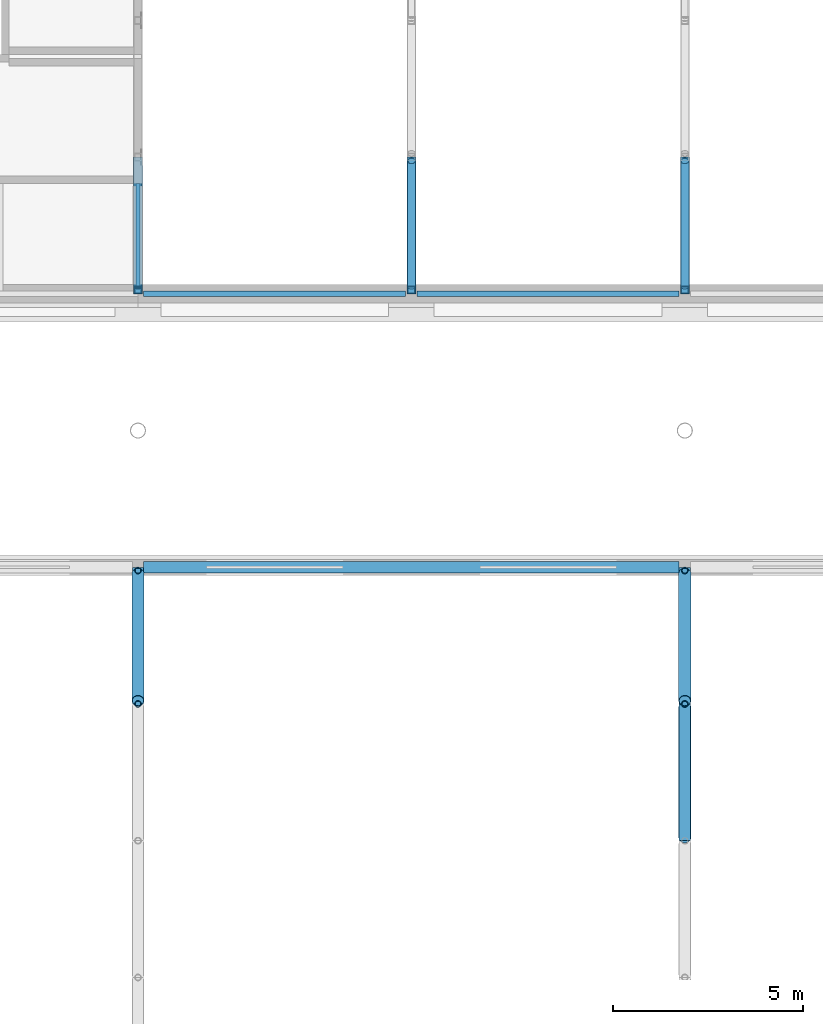
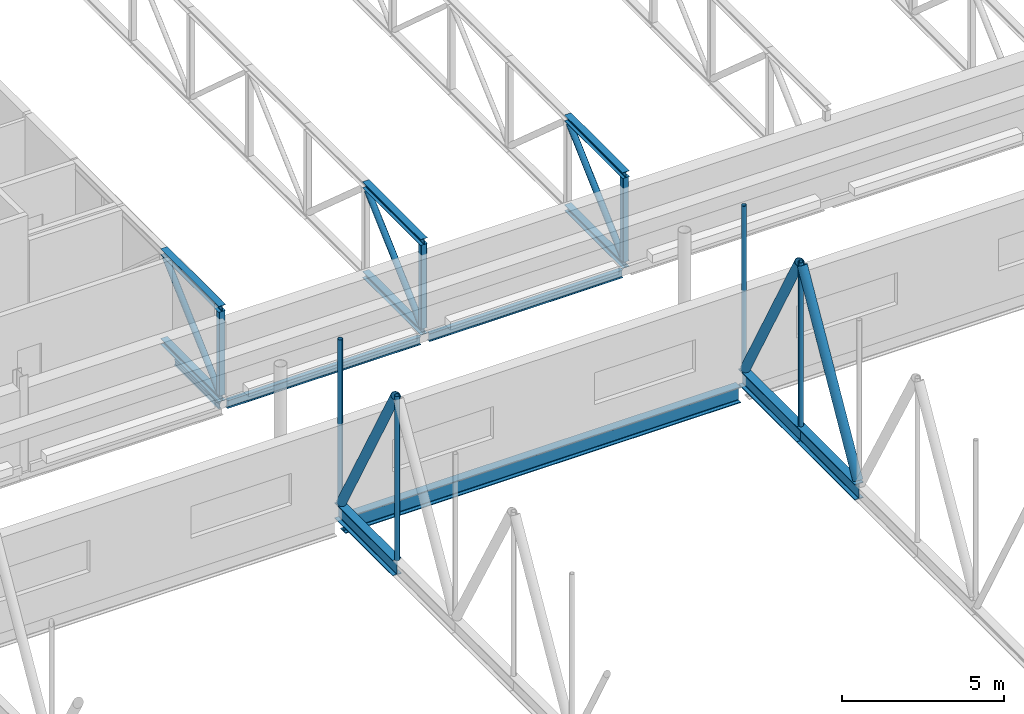
# One storey, part 69 of 142: 22 members, 4 beams.
"""IFC4 building model written with IfcOpenShell, lengths in metres."""

import ifcopenshell
import ifcopenshell.guid

model = None  # the IFC model being written
_history = None  # IfcOwnerHistory: only IFC2X3 demands one
_inside = {}  # id of a spatial element -> (the spatial element, [elements in it])
_under = {}  # id of a project, library or spatial element -> (it, [spatial elements below it])
_declared = {}  # id of a project -> (the project, [libraries it declares])
_typed = {}  # id of a type object -> (the type object, [elements of that type])
_made_of = {}  # id of a material, layer set ... -> (it, [elements and type objects made of it])


def new_model(schema):
    """Start an empty IFC model of exactly this schema.

    Asked for "IFC4X3", IfcOpenShell would pick the latest addendum, in which some entities
    have other attributes; the version numbers below select the first issue.
    IFC2X3 requires an IfcOwnerHistory on every rooted entity: one is made here for all.
    """
    global model, _history
    if schema == "IFC4X3":
        model = ifcopenshell.file(schema_version=(4, 3, 0, 0))
    else:
        model = ifcopenshell.file(schema=schema)
    _inside.clear()
    _under.clear()
    _declared.clear()
    _typed.clear()
    _made_of.clear()
    _history = None
    if model.schema == "IFC2X3":
        org = make("IfcOrganization", Name="unknown")
        user = make(
            "IfcPersonAndOrganization",
            ThePerson=make("IfcPerson", FamilyName="unknown"),
            TheOrganization=org,
        )
        app = make(
            "IfcApplication",
            ApplicationDeveloper=org,
            Version="unknown",
            ApplicationFullName="unknown",
            ApplicationIdentifier="unknown",
        )
        _history = make(
            "IfcOwnerHistory",
            OwningUser=user,
            OwningApplication=app,
            ChangeAction="ADDED",
            CreationDate=0,
        )
    return model


def make(cls, **values):
    """One entity of the class cls with the attributes given. An attribute that is None is left unset."""
    return model.create_entity(
        cls, **{name: value for name, value in values.items() if value is not None}
    )


def rooted(cls, **values):
    """An entity with a GlobalId (a new one), such as an element, a storey or a relation."""
    return make(cls, GlobalId=ifcopenshell.guid.new(), OwnerHistory=_history, **values)


def si_unit(unit_type, name, prefix=None):
    """IfcSIUnit, for example si_unit("LENGTHUNIT", "METRE", prefix="MILLI")."""
    return make("IfcSIUnit", UnitType=unit_type, Prefix=prefix, Name=name)


def assignment(units):
    """IfcUnitAssignment: the units of a project."""
    return None if units is None else make("IfcUnitAssignment", Units=units)


def point(xyz):
    """IfcCartesianPoint."""
    return None if xyz is None else make("IfcCartesianPoint", Coordinates=xyz)


def direction(xyz):
    """IfcDirection."""
    return None if xyz is None else make("IfcDirection", DirectionRatios=xyz)


def frame(location, z_axis=None, x_axis=None):
    """IfcAxis2Placement3D, a coordinate frame: its origin and axes. An axis left out is left unset."""
    return make(
        "IfcAxis2Placement3D",
        Location=point(location),
        Axis=direction(z_axis),
        RefDirection=direction(x_axis),
    )


def frame_2d(location, x_axis=None):
    """IfcAxis2Placement2D, a coordinate frame in the plane: its origin and x axis."""
    return make(
        "IfcAxis2Placement2D", Location=point(location), RefDirection=direction(x_axis)
    )


def origin():
    """The frame at (0, 0, 0) with its axes left unset."""
    return frame((0.0, 0.0, 0.0))


def origin_2d():
    """The frame at (0, 0) in the plane with its x axis left unset."""
    return frame_2d((0.0, 0.0))


def place(relative_to, where):
    """IfcLocalPlacement: puts the frame where relative to a parent placement (None: the world)."""
    return make(
        "IfcLocalPlacement", PlacementRelTo=relative_to, RelativePlacement=where
    )


def context(
    kind, dimensions, precision=None, world=None, true_north=None, identifier=None
):
    """IfcGeometricRepresentationContext, for example the 3D "Model" context."""
    return make(
        "IfcGeometricRepresentationContext",
        ContextIdentifier=identifier,
        ContextType=kind,
        CoordinateSpaceDimension=dimensions,
        Precision=precision,
        WorldCoordinateSystem=world,
        TrueNorth=true_north,
    )


def subcontext(parent, identifier, kind, view, scale=None):
    """IfcGeometricRepresentationSubContext, for example "Body" below "Model"."""
    return make(
        "IfcGeometricRepresentationSubContext",
        ContextIdentifier=identifier,
        ContextType=kind,
        ParentContext=parent,
        TargetScale=scale,
        TargetView=view,
    )


def project(units=None, contexts=None):
    """IfcProject with its units and contexts."""
    return rooted(
        "IfcProject",
        Name="project",
        RepresentationContexts=contexts,
        UnitsInContext=assignment(units),
    )


def spatial(cls, under=None, at=None, **own):
    """A site, building, storey or space (cls), placed at a placement, below another one or the project."""
    s = rooted(cls, ObjectPlacement=at, **own)
    if under is not None:
        _under.setdefault(under.id(), (under, []))[1].append(s)
    return s


def profile(cls, at=None, kind="AREA", **sizes):
    """A parametric profile (cls). Its sizes go by their IFC names, for example OverallWidth=200.0."""
    return make(cls, ProfileType=kind, Position=at, **sizes)


def hollow_rectangle(**sizes):
    """IfcRectangleHollowProfileDef."""
    return profile("IfcRectangleHollowProfileDef", **sizes)


def hollow_circle(**sizes):
    """IfcCircleHollowProfileDef."""
    return profile("IfcCircleHollowProfileDef", **sizes)


def i_section(**sizes):
    """IfcIShapeProfileDef."""
    return profile("IfcIShapeProfileDef", **sizes)


def extrude(swept, where, along, depth):
    """IfcExtrudedAreaSolid: the profile swept, set in the frame where, extruded along a direction by depth."""
    return make(
        "IfcExtrudedAreaSolid",
        SweptArea=swept,
        Position=where,
        ExtrudedDirection=direction(along),
        Depth=depth,
    )


def shape(context_of_items, identifier, shape_type, items):
    """IfcShapeRepresentation: the items that make up one representation, for example the "Body"."""
    return make(
        "IfcShapeRepresentation",
        ContextOfItems=context_of_items,
        RepresentationIdentifier=identifier,
        RepresentationType=shape_type,
        Items=items,
    )


def material(Name=None, Category=None):
    """IfcMaterial."""
    return make("IfcMaterial", Name=Name, Category=Category)


def material_profile(
    of_material, cross_section, Name=None, Category=None, Priority=None
):
    """IfcMaterialProfile: a cross section and its material."""
    return make(
        "IfcMaterialProfile",
        Name=Name,
        Material=of_material,
        Profile=cross_section,
        Priority=Priority,
        Category=Category,
    )


def profile_set(profiles, Name=None, composite=None):
    """IfcMaterialProfileSet."""
    return make(
        "IfcMaterialProfileSet",
        Name=Name,
        MaterialProfiles=profiles,
        CompositeProfile=composite,
    )


def made_of(thing, what):
    """Note that an element or type object is made of a material, layer set ...; save() writes the relation."""
    if what is not None:
        _made_of.setdefault(what.id(), (what, []))[1].append(thing)
    return thing


def type_object(cls, material=None, **own):
    """A type object (cls), such as IfcWallType, which elements share."""
    return made_of(rooted(cls, **own), material)


def element(
    cls,
    number,
    at=None,
    inside=None,
    cuts=None,
    type_object=None,
    material=None,
    context=None,
    identifier="Body",
    shape_type=None,
    held_by="IfcProductDefinitionShape",
    body=None,
    shapes=None,
    **own,
):
    """One element of the class cls, such as IfcWall. Its Tag is "e" and its number.

    at: its placement. inside: the storey or other place that contains it. cuts: it is an
    opening in that element (IfcRelVoidsElement). A single representation is given by context,
    identifier, shape_type and body (its items); several are given by shapes. held_by: the class
    of the entity that holds the representations. save() writes the other relations.
    """
    e = rooted(cls, Tag="e%d" % number, ObjectPlacement=at, **own)
    if body is not None:
        shapes = [shape(context, identifier, shape_type, body)]
    if shapes is not None:
        e.Representation = make(held_by, Representations=shapes)
    if inside is not None:
        _inside.setdefault(inside.id(), (inside, []))[1].append(e)
    if cuts is not None:
        rooted(
            "IfcRelVoidsElement", RelatingBuildingElement=cuts, RelatedOpeningElement=e
        )
    if type_object is not None:
        _typed.setdefault(type_object.id(), (type_object, []))[1].append(e)
    return made_of(e, material)


def aggregate(whole, parts):
    """IfcRelAggregates: a whole, such as a stair, and the parts it consists of."""
    return rooted("IfcRelAggregates", RelatingObject=whole, RelatedObjects=parts)


def save(model, path):
    """Write the relations noted so far, then the file.

    IfcRelAggregates (storeys below a building ...), IfcRelContainedInSpatialStructure (elements
    in a storey), IfcRelDefinesByType, IfcRelAssociatesMaterial and IfcRelDeclares: one each for
    every whole, place, type object, material and project.
    """
    for whole, parts in _under.values():
        aggregate(whole, parts)
    for where, things in _inside.values():
        rooted(
            "IfcRelContainedInSpatialStructure",
            RelatedElements=things,
            RelatingStructure=where,
        )
    for kind, things in _typed.values():
        rooted("IfcRelDefinesByType", RelatedObjects=things, RelatingType=kind)
    for what, things in _made_of.values():
        rooted("IfcRelAssociatesMaterial", RelatedObjects=things, RelatingMaterial=what)
    for by, libraries in _declared.values():
        rooted("IfcRelDeclares", RelatingContext=by, RelatedDefinitions=libraries)
    model.write(path)


model = new_model("IFC4")

# Units and contexts
model_context = context("Model", 3, precision=1e-05, world=origin(), true_north=direction((0.0, 1.0)))
body_context = subcontext(model_context, "Body", "Model", "MODEL_VIEW")
ifc_project = project(units=[si_unit("LENGTHUNIT", "METRE"), si_unit("AREAUNIT", "SQUARE_METRE"), si_unit("VOLUMEUNIT", "CUBIC_METRE"), si_unit("PLANEANGLEUNIT", "RADIAN"), si_unit("MASSUNIT", "GRAM", prefix="KILO")], contexts=[model_context])

# Site, building, storey
site_placement = place(None, origin())
site = spatial("IfcSite", under=ifc_project, at=site_placement, CompositionType="ELEMENT")
building_placement = place(site_placement, origin())
building = spatial("IfcBuilding", under=site, at=building_placement, Name="Kupolbacken Congress Centre", CompositionType="ELEMENT")
storey_placement = place(building_placement, frame((0.0, 0.0, 14.39990234375)))
storey = spatial("IfcBuildingStorey", under=building, at=storey_placement, Name="L04", CompositionType="ELEMENT", Elevation=14.39990234375)

# Beams
ifc_material_1 = material(Name="Steel S355", Category="steel")
ifc_material_profile_1 = material_profile(ifc_material_1, i_section(OverallWidth=0.10009765625, OverallDepth=0.199951171875, WebThickness=0.005615234375, FlangeThickness=0.008544921875, FilletRadius=0.011962890625, at=origin_2d()), Name="IPE 200")
ifc_profile_set_1 = profile_set([ifc_material_profile_1], Name="Steel S355")
beam_type_1 = type_object("IfcBeamType", Name="B01 beam IPE 200", PredefinedType="BEAM", material=ifc_profile_set_1)
beam_1_placement = place(storey_placement, frame((151.199951171875, 122.550048828125, -0.27978515625), z_axis=(0.0, 1.0, 0.0), x_axis=(-1.0, 0.0, 0.0)))
element("IfcBeam", 1, at=beam_1_placement, inside=storey, type_object=beam_type_1, Name="S/floor/BF/L04/G005", PredefinedType="BEAM", context=body_context, shape_type="SweptSolid", body=[
    extrude(i_section(OverallWidth=0.10009765625, OverallDepth=0.199951171875, WebThickness=0.005615234375, FlangeThickness=0.008544921875, FilletRadius=0.011962890625, at=origin_2d()), origin(), (0.0, 0.0, 1.0), 2.75),
])
ifc_material_2 = material(Name="Steel S355", Category="steel")
ifc_material_profile_2 = material_profile(ifc_material_2, i_section(OverallWidth=0.14990234375, OverallDepth=0.300048828125, WebThickness=0.007080078125, FlangeThickness=0.0107421875, FilletRadius=0.014892578125, at=origin_2d()), Name="IPE 300")
ifc_profile_set_2 = profile_set([ifc_material_profile_2], Name="Steel S355")
beam_type_2 = type_object("IfcBeamType", Name="B04 beam IPE 300", PredefinedType="BEAM", material=ifc_profile_set_2)
for number, where, z_axis, x_axis, name in (
    (2, (151.35009765625, 122.39990234375, -0.14990234375), (1.0, 0.0, 0.0), (0.0, 1.0, 0.0), "Edge girder"),
    (3, (158.550048828125, 122.39990234375, -0.14990234375), (1.0, 0.0, 0.0), (0.0, 1.0, 0.0), "Edge girder"),
):
    element("IfcBeam", number, at=place(storey_placement, frame(where, z_axis=z_axis, x_axis=x_axis)), inside=storey, type_object=beam_type_2, Name=name, PredefinedType="BEAM", context=body_context, shape_type="SweptSolid", body=[
        extrude(i_section(OverallWidth=0.14990234375, OverallDepth=0.300048828125, WebThickness=0.007080078125, FlangeThickness=0.0107421875, FilletRadius=0.014892578125, at=origin_2d()), origin(), (0.0, 0.0, 1.0), 6.89990234375),
    ])
ifc_material_3 = material(Name="Steel S355", Category="steel")
ifc_material_profile_3 = material_profile(ifc_material_3, i_section(OverallWidth=0.300048828125, OverallDepth=0.60009765625, WebThickness=0.015380859375, FlangeThickness=0.030029296875, FilletRadius=0.027099609375, at=origin_2d()), Name="HEB 600")
ifc_profile_set_3 = profile_set([ifc_material_profile_3], Name="Steel S355")
beam_type_3 = type_object("IfcBeamType", Name="B15 beam HEB 600", PredefinedType="BEAM", material=ifc_profile_set_3)
beam_2_placement = place(storey_placement, frame((151.35009765625, 115.199951171875, -0.2998046875), z_axis=(1.0, 0.0, 0.0), x_axis=(0.0, 1.0, 0.0)))
element("IfcBeam", 4, at=beam_2_placement, inside=storey, type_object=beam_type_3, Name="Edge girder", PredefinedType="BEAM", context=body_context, shape_type="SweptSolid", body=[
    extrude(i_section(OverallWidth=0.300048828125, OverallDepth=0.60009765625, WebThickness=0.015380859375, FlangeThickness=0.030029296875, FilletRadius=0.027099609375, at=origin_2d()), origin(), (0.0, 0.0, 1.0), 14.099853515625),
])

# Members
ifc_material_4 = material(Name="Steel S355", Category="steel")
ifc_material_profile_4 = material_profile(ifc_material_4, i_section(OverallWidth=0.300048828125, OverallDepth=0.60009765625, WebThickness=0.015380859375, FlangeThickness=0.030029296875, FilletRadius=0.027099609375, at=origin_2d()), Name="HEB 600")
ifc_profile_set_4 = profile_set([ifc_material_profile_4], Name="Steel S355")
member_type_1 = type_object("IfcMemberType", Name="M02 transfer truss chord HEB 600", PredefinedType="CHORD", material=ifc_profile_set_4)
member_1_placement = place(storey_placement, frame((151.199951171875, 111.60009765625, 0.2900390625), z_axis=(0.0, 1.0, 0.0), x_axis=(-1.0, 0.0, 0.0)))
element("IfcMember", 5, at=member_1_placement, inside=storey, type_object=member_type_1, Name="HT/T5/BC20", PredefinedType="CHORD", context=body_context, shape_type="SweptSolid", body=[
    extrude(i_section(OverallWidth=0.300048828125, OverallDepth=0.60009765625, WebThickness=0.015380859375, FlangeThickness=0.030029296875, FilletRadius=0.027099609375, at=origin_2d()), origin(), (0.0, 0.0, 1.0), 3.599853515625),
])
member_2_placement = place(storey_placement, frame((165.60009765625, 108.0, 0.2900390625), z_axis=(0.0, 1.0, 0.0), x_axis=(-1.0, 0.0, 0.0)))
element("IfcMember", 6, at=member_2_placement, inside=storey, type_object=member_type_1, Name="HT/T6/BC19", PredefinedType="CHORD", context=body_context, shape_type="SweptSolid", body=[
    extrude(i_section(OverallWidth=0.300048828125, OverallDepth=0.60009765625, WebThickness=0.015380859375, FlangeThickness=0.030029296875, FilletRadius=0.027099609375, at=origin_2d()), origin(), (0.0, 0.0, 1.0), 3.60009765625),
])
member_3_placement = place(storey_placement, frame((165.60009765625, 111.60009765625, 0.2900390625), z_axis=(0.0, 1.0, 0.0), x_axis=(-1.0, 0.0, 0.0)))
element("IfcMember", 7, at=member_3_placement, inside=storey, type_object=member_type_1, Name="HT/T6/BC20", PredefinedType="CHORD", context=body_context, shape_type="SweptSolid", body=[
    extrude(i_section(OverallWidth=0.300048828125, OverallDepth=0.60009765625, WebThickness=0.015380859375, FlangeThickness=0.030029296875, FilletRadius=0.027099609375, at=origin_2d()), origin(), (0.0, 0.0, 1.0), 3.599853515625),
])
ifc_material_5 = material(Name="Steel S355", Category="steel")
ifc_material_profile_5 = material_profile(ifc_material_5, hollow_circle(Radius=0.161865234375, WallThickness=0.012451171875, at=origin_2d()), Name="CHS 323.9 x 12.5")
ifc_profile_set_5 = profile_set([ifc_material_profile_5], Name="Steel S355")
member_type_2 = type_object("IfcMemberType", Name="M04 transfer truss web CHS 323.9 x 12.5", PredefinedType="BRACE", material=ifc_profile_set_5)
member_4_placement = place(storey_placement, frame((151.199951171875, 111.68408203125, 6.69287109375), z_axis=(0.0, 0.485036131954, -0.874494111301), x_axis=(-1.0, 0.0, 0.0)))
element("IfcMember", 8, at=member_4_placement, inside=storey, type_object=member_type_2, Name="HT/T5/D20", PredefinedType="BRACE", context=body_context, shape_type="SweptSolid", body=[
    extrude(hollow_circle(Radius=0.161865234375, WallThickness=0.012451171875, at=origin_2d()), origin(), (0.0, 0.0, 1.0), 6.90185546875),
])
member_5_placement = place(storey_placement, frame((165.60009765625, 108.084228515625, 0.658935546875), z_axis=(0.0, 0.494455978115, 0.869202672399), x_axis=(-1.0, 0.0, 0.0)))
element("IfcMember", 9, at=member_5_placement, inside=storey, type_object=member_type_2, Name="HT/T6/D19", PredefinedType="BRACE", context=body_context, shape_type="SweptSolid", body=[
    extrude(hollow_circle(Radius=0.161865234375, WallThickness=0.012451171875, at=origin_2d()), origin(), (0.0, 0.0, 1.0), 6.940185546875),
])
member_6_placement = place(storey_placement, frame((165.60009765625, 111.68408203125, 6.69287109375), z_axis=(0.0, 0.485036131954, -0.874494111301), x_axis=(-1.0, 0.0, 0.0)))
element("IfcMember", 10, at=member_6_placement, inside=storey, type_object=member_type_2, Name="HT/T6/D20", PredefinedType="BRACE", context=body_context, shape_type="SweptSolid", body=[
    extrude(hollow_circle(Radius=0.161865234375, WallThickness=0.012451171875, at=origin_2d()), origin(), (0.0, 0.0, 1.0), 6.90185546875),
])
ifc_material_6 = material(Name="Steel S355", Category="steel")
ifc_material_profile_6 = material_profile(ifc_material_6, hollow_circle(Radius=0.109619140625, WallThickness=0.010009765625, at=origin_2d()), Name="CHS 219.1 x 10")
ifc_profile_set_6 = profile_set([ifc_material_profile_6], Name="Steel S355")
member_type_3 = type_object("IfcMemberType", Name="M05 transfer truss web CHS 219.1 x 10", PredefinedType="BRACE", material=ifc_profile_set_6)
for number, where, z_axis, x_axis, name in (
    (11, (151.199951171875, 122.60009765625, 0.289306640625), (0.0, 0.738640464451, 0.67409959522), (-1.0, 0.0, 0.0), "BT/B1/D01"),
    (12, (158.39990234375, 122.60009765625, 0.289306640625), (0.0, 0.738640464451, 0.67409959522), (-1.0, 0.0, 0.0), "BT/B2/D01"),
    (13, (165.60009765625, 122.60009765625, 0.289306640625), (0.0, 0.738640464451, 0.67409959522), (-1.0, 0.0, 0.0), "BT/B3/D01"),
):
    element("IfcMember", number, at=place(storey_placement, frame(where, z_axis=z_axis, x_axis=x_axis)), inside=storey, type_object=member_type_3, Name=name, PredefinedType="BRACE", context=body_context, shape_type="SweptSolid", body=[
        extrude(hollow_circle(Radius=0.109619140625, WallThickness=0.010009765625, at=origin_2d()), origin(), (0.0, 0.0, 1.0), 4.46728515625),
    ])
ifc_material_7 = material(Name="Steel S355", Category="steel")
ifc_material_profile_7 = material_profile(ifc_material_7, i_section(OverallWidth=0.239990234375, OverallDepth=0.22998046875, WebThickness=0.007568359375, FlangeThickness=0.011962890625, FilletRadius=0.02099609375, at=origin_2d()), Name="HEA 240")
ifc_profile_set_7 = profile_set([ifc_material_profile_7], Name="Steel S355")
member_type_4 = type_object("IfcMemberType", Name="M07 transfer truss chord HEA 240", PredefinedType="CHORD", material=ifc_profile_set_7)
for number, where, z_axis, x_axis, name in (
    (14, (151.199951171875, 122.39990234375, 0.10498046875), (0.0, 1.0, 0.0), (-1.0, 0.0, 0.0), "BT/B1/BC01"),
    (15, (151.199951171875, 122.39990234375, 3.485107421875), (0.0, 1.0, 0.0), (-1.0, 0.0, 0.0), "BT/B1/TC01"),
    (16, (158.39990234375, 122.39990234375, 0.10498046875), (0.0, 1.0, 0.0), (-1.0, 0.0, 0.0), "BT/B2/BC01"),
    (17, (158.39990234375, 122.39990234375, 3.485107421875), (0.0, 1.0, 0.0), (-1.0, 0.0, 0.0), "BT/B2/TC01"),
    (18, (165.60009765625, 122.39990234375, 0.10498046875), (0.0, 1.0, 0.0), (-1.0, 0.0, 0.0), "BT/B3/BC01"),
    (19, (165.60009765625, 122.39990234375, 3.485107421875), (0.0, 1.0, 0.0), (-1.0, 0.0, 0.0), "BT/B3/TC01"),
):
    element("IfcMember", number, at=place(storey_placement, frame(where, z_axis=z_axis, x_axis=x_axis)), inside=storey, type_object=member_type_4, Name=name, PredefinedType="CHORD", context=body_context, shape_type="SweptSolid", body=[
        extrude(i_section(OverallWidth=0.239990234375, OverallDepth=0.22998046875, WebThickness=0.007568359375, FlangeThickness=0.011962890625, FilletRadius=0.02099609375, at=origin_2d()), origin(), (0.0, 0.0, 1.0), 3.60009765625),
    ])
ifc_material_8 = material(Name="Steel S355", Category="steel")
ifc_material_profile_8 = material_profile(ifc_material_8, hollow_rectangle(XDim=0.199951171875, YDim=0.199951171875, WallThickness=0.010009765625, InnerFilletRadius=0.010009765625, OuterFilletRadius=0.014892578125, at=origin_2d()), Name="SHS 200 x 200 x 10")
ifc_profile_set_8 = profile_set([ifc_material_profile_8], Name="Steel S355")
member_type_5 = type_object("IfcMemberType", Name="M10 transfer truss post SHS 200 x 200 x 10", PredefinedType="STRUT", material=ifc_profile_set_8)
for number, where, z_axis, x_axis, name in (
    (20, (151.199951171875, 122.5, 0.210205078125), (0.0, 0.0, 1.0), (0.0, 1.0, 0.0), "BT/B1/P00"),
    (21, (158.39990234375, 122.5, 0.210205078125), (0.0, 0.0, 1.0), (0.0, 1.0, 0.0), "BT/B2/P00"),
    (22, (165.60009765625, 122.5, 0.210205078125), (0.0, 0.0, 1.0), (0.0, 1.0, 0.0), "BT/B3/P00"),
):
    element("IfcMember", number, at=place(storey_placement, frame(where, z_axis=z_axis, x_axis=x_axis)), inside=storey, type_object=member_type_5, Name=name, PredefinedType="STRUT", context=body_context, shape_type="SweptSolid", body=[
        extrude(hollow_rectangle(XDim=0.199951171875, YDim=0.199951171875, WallThickness=0.010009765625, InnerFilletRadius=0.010009765625, OuterFilletRadius=0.014892578125, at=origin_2d()), origin(), (0.0, 0.0, 1.0), 3.169921875),
    ])
ifc_material_9 = material(Name="Steel S355", Category="steel")
ifc_material_profile_9 = material_profile(ifc_material_9, hollow_circle(Radius=0.084228515625, WallThickness=0.008056640625, at=origin_2d()), Name="CHS 168.3 x 8")
ifc_profile_set_9 = profile_set([ifc_material_profile_9], Name="Steel S355")
member_type_6 = type_object("IfcMemberType", Name="M20 transfer truss post CHS 168.3 x 8", PredefinedType="STRUT", material=ifc_profile_set_9)
for number, where, z_axis, x_axis, name in (
    (23, (151.199951171875, 111.60009765625, 0.580078125), (0.0, 0.0, 1.0), (0.0, 1.0, 0.0), "HT/T5/P19"),
    (24, (151.199951171875, 115.115966796875, 0.580078125), (0.0, 0.0, 1.0), (0.0, 1.0, 0.0), "HT/T5/P20"),
    (25, (165.60009765625, 111.60009765625, 0.580078125), (0.0, 0.0, 1.0), (0.0, 1.0, 0.0), "HT/T6/P19"),
    (26, (165.60009765625, 115.115966796875, 0.580078125), (0.0, 0.0, 1.0), (0.0, 1.0, 0.0), "HT/T6/P20"),
):
    element("IfcMember", number, at=place(storey_placement, frame(where, z_axis=z_axis, x_axis=x_axis)), inside=storey, type_object=member_type_6, Name=name, PredefinedType="STRUT", context=body_context, shape_type="SweptSolid", body=[
        extrude(hollow_circle(Radius=0.084228515625, WallThickness=0.008056640625, at=origin_2d()), origin(), (0.0, 0.0, 1.0), 6.18994140625),
    ])

save(model, "model.ifc")
